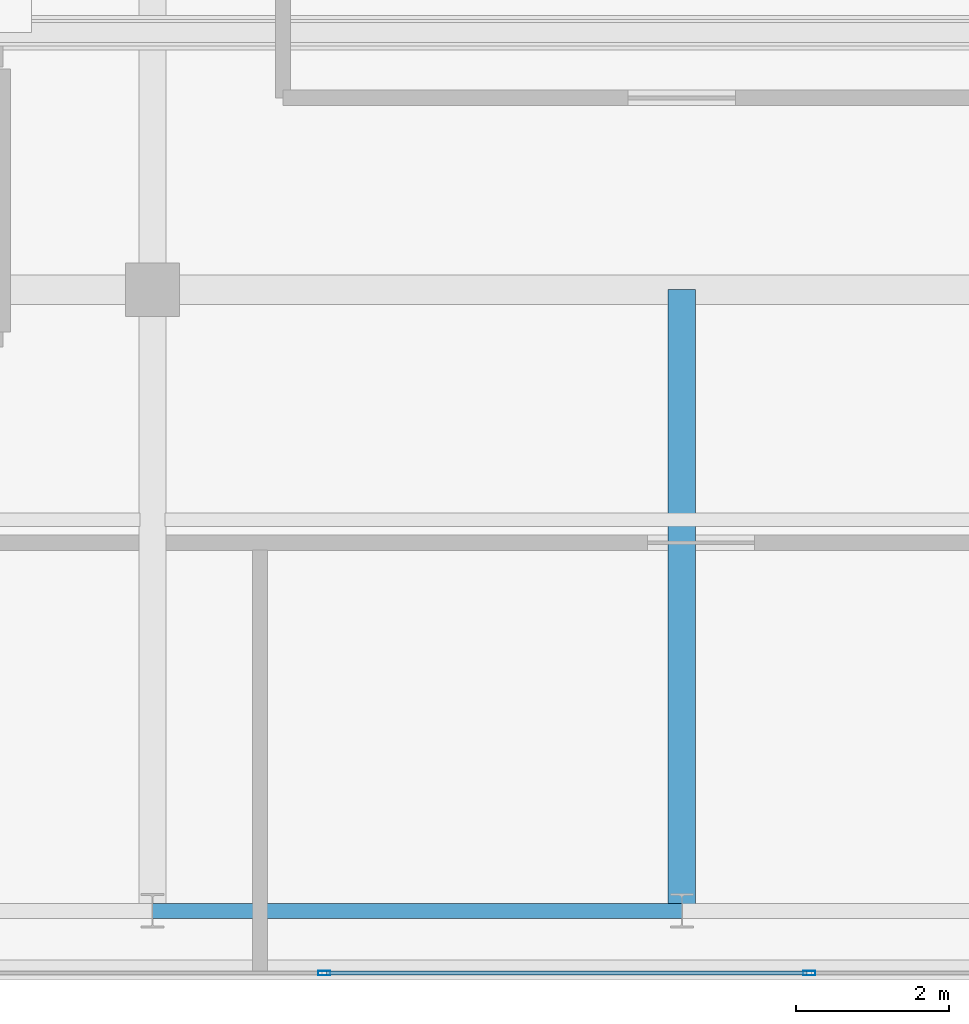
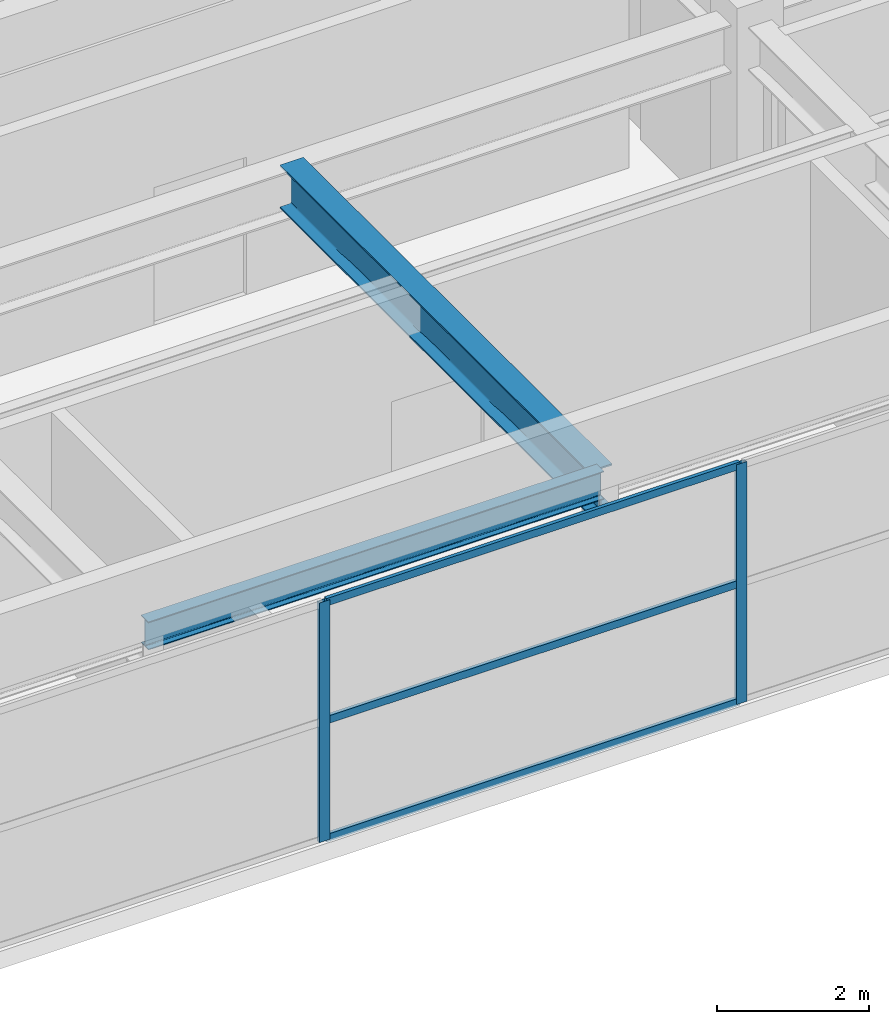
# One storey, part 7 of 33: 5 members, 2 beams, 1 element without a shape of its own.
"""IFC4 building model written with IfcOpenShell, lengths in metres."""

import ifcopenshell
import ifcopenshell.guid

model = None  # the IFC model being written
_history = None  # IfcOwnerHistory: only IFC2X3 demands one
_inside = {}  # id of a spatial element -> (the spatial element, [elements in it])
_under = {}  # id of a project, library or spatial element -> (it, [spatial elements below it])
_declared = {}  # id of a project -> (the project, [libraries it declares])
_typed = {}  # id of a type object -> (the type object, [elements of that type])
_made_of = {}  # id of a material, layer set ... -> (it, [elements and type objects made of it])


def new_model(schema):
    """Start an empty IFC model of exactly this schema.

    Asked for "IFC4X3", IfcOpenShell would pick the latest addendum, in which some entities
    have other attributes; the version numbers below select the first issue.
    IFC2X3 requires an IfcOwnerHistory on every rooted entity: one is made here for all.
    """
    global model, _history
    if schema == "IFC4X3":
        model = ifcopenshell.file(schema_version=(4, 3, 0, 0))
    else:
        model = ifcopenshell.file(schema=schema)
    _inside.clear()
    _under.clear()
    _declared.clear()
    _typed.clear()
    _made_of.clear()
    _history = None
    if model.schema == "IFC2X3":
        org = make("IfcOrganization", Name="unknown")
        user = make(
            "IfcPersonAndOrganization",
            ThePerson=make("IfcPerson", FamilyName="unknown"),
            TheOrganization=org,
        )
        app = make(
            "IfcApplication",
            ApplicationDeveloper=org,
            Version="unknown",
            ApplicationFullName="unknown",
            ApplicationIdentifier="unknown",
        )
        _history = make(
            "IfcOwnerHistory",
            OwningUser=user,
            OwningApplication=app,
            ChangeAction="ADDED",
            CreationDate=0,
        )
    return model


def make(cls, **values):
    """One entity of the class cls with the attributes given. An attribute that is None is left unset."""
    return model.create_entity(
        cls, **{name: value for name, value in values.items() if value is not None}
    )


def rooted(cls, **values):
    """An entity with a GlobalId (a new one), such as an element, a storey or a relation."""
    return make(cls, GlobalId=ifcopenshell.guid.new(), OwnerHistory=_history, **values)


def si_unit(unit_type, name, prefix=None):
    """IfcSIUnit, for example si_unit("LENGTHUNIT", "METRE", prefix="MILLI")."""
    return make("IfcSIUnit", UnitType=unit_type, Prefix=prefix, Name=name)


def assignment(units):
    """IfcUnitAssignment: the units of a project."""
    return None if units is None else make("IfcUnitAssignment", Units=units)


def point(xyz):
    """IfcCartesianPoint."""
    return None if xyz is None else make("IfcCartesianPoint", Coordinates=xyz)


def direction(xyz):
    """IfcDirection."""
    return None if xyz is None else make("IfcDirection", DirectionRatios=xyz)


def frame(location, z_axis=None, x_axis=None):
    """IfcAxis2Placement3D, a coordinate frame: its origin and axes. An axis left out is left unset."""
    return make(
        "IfcAxis2Placement3D",
        Location=point(location),
        Axis=direction(z_axis),
        RefDirection=direction(x_axis),
    )


def frame_2d(location, x_axis=None):
    """IfcAxis2Placement2D, a coordinate frame in the plane: its origin and x axis."""
    return make(
        "IfcAxis2Placement2D", Location=point(location), RefDirection=direction(x_axis)
    )


def origin():
    """The frame at (0, 0, 0) with its axes left unset."""
    return frame((0.0, 0.0, 0.0))


def origin_2d():
    """The frame at (0, 0) in the plane with its x axis left unset."""
    return frame_2d((0.0, 0.0))


def place(relative_to, where):
    """IfcLocalPlacement: puts the frame where relative to a parent placement (None: the world)."""
    return make(
        "IfcLocalPlacement", PlacementRelTo=relative_to, RelativePlacement=where
    )


def context(
    kind, dimensions, precision=None, world=None, true_north=None, identifier=None
):
    """IfcGeometricRepresentationContext, for example the 3D "Model" context."""
    return make(
        "IfcGeometricRepresentationContext",
        ContextIdentifier=identifier,
        ContextType=kind,
        CoordinateSpaceDimension=dimensions,
        Precision=precision,
        WorldCoordinateSystem=world,
        TrueNorth=true_north,
    )


def subcontext(parent, identifier, kind, view, scale=None):
    """IfcGeometricRepresentationSubContext, for example "Body" below "Model"."""
    return make(
        "IfcGeometricRepresentationSubContext",
        ContextIdentifier=identifier,
        ContextType=kind,
        ParentContext=parent,
        TargetScale=scale,
        TargetView=view,
    )


def project(units=None, contexts=None):
    """IfcProject with its units and contexts."""
    return rooted(
        "IfcProject",
        Name="project",
        RepresentationContexts=contexts,
        UnitsInContext=assignment(units),
    )


def spatial(cls, under=None, at=None, **own):
    """A site, building, storey or space (cls), placed at a placement, below another one or the project."""
    s = rooted(cls, ObjectPlacement=at, **own)
    if under is not None:
        _under.setdefault(under.id(), (under, []))[1].append(s)
    return s


def profile(cls, at=None, kind="AREA", **sizes):
    """A parametric profile (cls). Its sizes go by their IFC names, for example OverallWidth=200.0."""
    return make(cls, ProfileType=kind, Position=at, **sizes)


def hollow_rectangle(**sizes):
    """IfcRectangleHollowProfileDef."""
    return profile("IfcRectangleHollowProfileDef", **sizes)


def i_section(**sizes):
    """IfcIShapeProfileDef."""
    return profile("IfcIShapeProfileDef", **sizes)


def extrude(swept, where, along, depth):
    """IfcExtrudedAreaSolid: the profile swept, set in the frame where, extruded along a direction by depth."""
    return make(
        "IfcExtrudedAreaSolid",
        SweptArea=swept,
        Position=where,
        ExtrudedDirection=direction(along),
        Depth=depth,
    )


def shape(context_of_items, identifier, shape_type, items):
    """IfcShapeRepresentation: the items that make up one representation, for example the "Body"."""
    return make(
        "IfcShapeRepresentation",
        ContextOfItems=context_of_items,
        RepresentationIdentifier=identifier,
        RepresentationType=shape_type,
        Items=items,
    )


def source(mapping_origin, context_of_items, identifier, shape_type, items):
    """IfcRepresentationMap: a shape defined once, which mapped items show again and again."""
    return make(
        "IfcRepresentationMap",
        MappingOrigin=mapping_origin,
        MappedRepresentation=shape(context_of_items, identifier, shape_type, items),
    )


def transform(
    local_origin,
    x_axis=None,
    y_axis=None,
    z_axis=None,
    scale=None,
    scale2=None,
    scale3=None,
    uniform=True,
):
    """IfcCartesianTransformationOperator3D, or its non-uniform kind. x_axis, y_axis, z_axis: its Axis1, 2, 3."""
    if uniform:
        return make(
            "IfcCartesianTransformationOperator3D",
            Axis1=direction(x_axis),
            Axis2=direction(y_axis),
            LocalOrigin=point(local_origin),
            Scale=scale,
            Axis3=direction(z_axis),
        )
    return make(
        "IfcCartesianTransformationOperator3DnonUniform",
        Axis1=direction(x_axis),
        Axis2=direction(y_axis),
        LocalOrigin=point(local_origin),
        Scale=scale,
        Axis3=direction(z_axis),
        Scale2=scale2,
        Scale3=scale3,
    )


def mapped(mapping_source, mapping_target):
    """IfcMappedItem: shows the shape of a source again, moved by a transform."""
    return make(
        "IfcMappedItem", MappingSource=mapping_source, MappingTarget=mapping_target
    )


def material(Name=None, Category=None):
    """IfcMaterial."""
    return make("IfcMaterial", Name=Name, Category=Category)


def layer(
    of_material, thickness, ventilated=None, Name=None, Category=None, Priority=None
):
    """IfcMaterialLayer: one layer of a wall or slab, of a material (None: an air gap)."""
    return make(
        "IfcMaterialLayer",
        Material=of_material,
        LayerThickness=thickness,
        IsVentilated=ventilated,
        Name=Name,
        Category=Category,
        Priority=Priority,
    )


def layer_set(layers, Name=None):
    """IfcMaterialLayerSet."""
    return make("IfcMaterialLayerSet", MaterialLayers=layers, LayerSetName=Name)


def material_profile(
    of_material, cross_section, Name=None, Category=None, Priority=None
):
    """IfcMaterialProfile: a cross section and its material."""
    return make(
        "IfcMaterialProfile",
        Name=Name,
        Material=of_material,
        Profile=cross_section,
        Priority=Priority,
        Category=Category,
    )


def profile_set(profiles, Name=None, composite=None):
    """IfcMaterialProfileSet."""
    return make(
        "IfcMaterialProfileSet",
        Name=Name,
        MaterialProfiles=profiles,
        CompositeProfile=composite,
    )


def made_of(thing, what):
    """Note that an element or type object is made of a material, layer set ...; save() writes the relation."""
    if what is not None:
        _made_of.setdefault(what.id(), (what, []))[1].append(thing)
    return thing


def type_object(cls, material=None, **own):
    """A type object (cls), such as IfcWallType, which elements share."""
    return made_of(rooted(cls, **own), material)


def element(
    cls,
    number,
    at=None,
    inside=None,
    cuts=None,
    type_object=None,
    material=None,
    context=None,
    identifier="Body",
    shape_type=None,
    held_by="IfcProductDefinitionShape",
    body=None,
    shapes=None,
    **own,
):
    """One element of the class cls, such as IfcWall. Its Tag is "e" and its number.

    at: its placement. inside: the storey or other place that contains it. cuts: it is an
    opening in that element (IfcRelVoidsElement). A single representation is given by context,
    identifier, shape_type and body (its items); several are given by shapes. held_by: the class
    of the entity that holds the representations. save() writes the other relations.
    """
    e = rooted(cls, Tag="e%d" % number, ObjectPlacement=at, **own)
    if body is not None:
        shapes = [shape(context, identifier, shape_type, body)]
    if shapes is not None:
        e.Representation = make(held_by, Representations=shapes)
    if inside is not None:
        _inside.setdefault(inside.id(), (inside, []))[1].append(e)
    if cuts is not None:
        rooted(
            "IfcRelVoidsElement", RelatingBuildingElement=cuts, RelatedOpeningElement=e
        )
    if type_object is not None:
        _typed.setdefault(type_object.id(), (type_object, []))[1].append(e)
    return made_of(e, material)


def aggregate(whole, parts):
    """IfcRelAggregates: a whole, such as a stair, and the parts it consists of."""
    return rooted("IfcRelAggregates", RelatingObject=whole, RelatedObjects=parts)


def save(model, path):
    """Write the relations noted so far, then the file.

    IfcRelAggregates (storeys below a building ...), IfcRelContainedInSpatialStructure (elements
    in a storey), IfcRelDefinesByType, IfcRelAssociatesMaterial and IfcRelDeclares: one each for
    every whole, place, type object, material and project.
    """
    for whole, parts in _under.values():
        aggregate(whole, parts)
    for where, things in _inside.values():
        rooted(
            "IfcRelContainedInSpatialStructure",
            RelatedElements=things,
            RelatingStructure=where,
        )
    for kind, things in _typed.values():
        rooted("IfcRelDefinesByType", RelatedObjects=things, RelatingType=kind)
    for what, things in _made_of.values():
        rooted("IfcRelAssociatesMaterial", RelatedObjects=things, RelatingMaterial=what)
    for by, libraries in _declared.values():
        rooted("IfcRelDeclares", RelatingContext=by, RelatedDefinitions=libraries)
    model.write(path)


model = new_model("IFC4")

# Units and contexts
model_context = context("Model", 3, precision=1e-05, world=origin(), true_north=direction((0.0, 1.0)))
body_context = subcontext(model_context, "Body", "Model", "MODEL_VIEW")
ifc_project = project(units=[si_unit("LENGTHUNIT", "METRE"), si_unit("AREAUNIT", "SQUARE_METRE"), si_unit("VOLUMEUNIT", "CUBIC_METRE"), si_unit("PLANEANGLEUNIT", "RADIAN"), si_unit("MASSUNIT", "GRAM", prefix="KILO")], contexts=[model_context])

# Site, building, storey
site_placement = place(None, origin())
site = spatial("IfcSite", under=ifc_project, at=site_placement, CompositionType="ELEMENT")
building_placement = place(site_placement, origin())
building = spatial("IfcBuilding", under=site, at=building_placement, Name="Khoralis Quay Care Tower", CompositionType="ELEMENT")
storey_placement = place(building_placement, frame((0.0, 0.0, 314.699951171875)))
storey = spatial("IfcBuildingStorey", under=building, at=storey_placement, Name="L82", CompositionType="ELEMENT", Elevation=314.699951171875)

# Beams
ifc_material_1 = material(Name="Steel S355", Category="steel")
ifc_material_profile_1 = material_profile(ifc_material_1, i_section(OverallWidth=0.18994140625, OverallDepth=0.449951171875, WebThickness=0.009521484375, FlangeThickness=0.0146484375, FilletRadius=0.02099609375, at=origin_2d()), Name="Steel S355")
ifc_profile_set_1 = profile_set([ifc_material_profile_1], Name="Steel S355")
beam_type_1 = type_object("IfcBeamType", Name="BM-IPE450", PredefinedType="SPANDREL", material=ifc_profile_set_1)
shared_shape_1 = source(origin(), body_context, "Body", "SweptSolid", [
    extrude(i_section(OverallWidth=0.18994140625, OverallDepth=0.449951171875, WebThickness=0.009521484375, FlangeThickness=0.0146484375, FilletRadius=0.02099609375, at=origin_2d()), origin(), (0.0, 0.0, 1.0), 6.89990234375),
])
beam_1_placement = place(storey_placement, frame((17.10009765625, 3.89990234375, 3.614990234375), z_axis=(1.0, 0.0, 0.0), x_axis=(0.0, 1.0, 0.0)))
element("IfcBeam", 1, at=beam_1_placement, inside=storey, type_object=beam_type_1, Name="BM-TSP-L82-02", PredefinedType="SPANDREL", context=body_context, shape_type="MappedRepresentation", body=[
    mapped(shared_shape_1, transform((0.0, 0.0, 0.0), scale=1.0)),
])
ifc_material_profile_2 = material_profile(ifc_material_1, i_section(OverallWidth=0.35498046875, OverallDepth=0.695068359375, WebThickness=0.015380859375, FlangeThickness=0.02490234375, FilletRadius=0.02001953125, at=origin_2d()), Name="Steel S355")
ifc_profile_set_2 = profile_set([ifc_material_profile_2], Name="Steel S355")
beam_type_2 = type_object("IfcBeamType", Name="BM-W690X217", PredefinedType="BEAM", material=ifc_profile_set_2)
shared_shape_2 = source(origin(), body_context, "Body", "SweptSolid", [
    extrude(i_section(OverallWidth=0.35498046875, OverallDepth=0.695068359375, WebThickness=0.015380859375, FlangeThickness=0.02490234375, FilletRadius=0.02001953125, at=origin_2d()), origin(), (0.0, 0.0, 1.0), 8.10009765625),
])
beam_2_placement = place(storey_placement, frame((24.0, 3.89990234375, 3.492431640625), z_axis=(0.0, 1.0, 0.0), x_axis=(-1.0, 0.0, 0.0)))
element("IfcBeam", 2, at=beam_2_placement, inside=storey, type_object=beam_type_2, Name="BM-TGYS-L82-240", PredefinedType="BEAM", context=body_context, shape_type="MappedRepresentation", body=[
    mapped(shared_shape_2, transform((0.0, 0.0, 0.0), scale=1.0)),
])

# Curtain wall, members
ifc_material_2 = material(Name="Pale anodised aluminium", Category="aluminium")
ifc_layer = layer(ifc_material_2, 0.199951171875)
ifc_layer_set = layer_set([ifc_layer], Name="Pale anodised aluminium")
curtain_wall_type = type_object("IfcCurtainWallType", Name="CW-SYS-LANTERN", PredefinedType="NOTDEFINED", material=ifc_layer_set)
curtain_wall_placement = place(storey_placement, origin())
curtain_wall = element("IfcCurtainWall", 3, at=curtain_wall_placement, inside=storey, type_object=curtain_wall_type, Name="L82 Unitised Curtain Wall CW-LN-L82-01", PredefinedType="NOTDEFINED")
ifc_material_profile_3 = material_profile(ifc_material_2, hollow_rectangle(XDim=0.054931640625, YDim=0.1201171875, WallThickness=0.00390625, at=origin_2d()), Name="Pale anodised aluminium")
ifc_profile_set_3 = profile_set([ifc_material_profile_3], Name="Pale anodised aluminium")
member_type_1 = type_object("IfcMemberType", Name="CW-TRN-120", PredefinedType="USERDEFINED", material=ifc_profile_set_3)
shared_shape_3 = source(origin(), body_context, "Body", "SweptSolid", [
    extrude(hollow_rectangle(XDim=0.054931640625, YDim=0.1201171875, WallThickness=0.00390625, at=origin_2d()), origin(), (0.0, 0.0, 1.0), 6.26416015625),
])
member_1_placement = place(storey_placement, frame((19.367919921875, 3.090087890625, 0.030029296875), z_axis=(1.0, 0.0, 0.0), x_axis=(0.0, 1.0, 0.0)))
member_1 = element("IfcMember", 4, at=member_1_placement, type_object=member_type_1, Name="CW5 transom 3.1", ObjectType="TRANSOM", PredefinedType="USERDEFINED", context=body_context, shape_type="MappedRepresentation", body=[
    mapped(shared_shape_3, transform((0.0, 0.0, 0.0), scale=1.0)),
])
member_2_placement = place(storey_placement, frame((19.367919921875, 3.090087890625, 1.920166015625), z_axis=(1.0, 0.0, 0.0), x_axis=(0.0, 1.0, 0.0)))
member_2 = element("IfcMember", 5, at=member_2_placement, type_object=member_type_1, Name="CW5 transom 3.2", ObjectType="TRANSOM", PredefinedType="USERDEFINED", context=body_context, shape_type="MappedRepresentation", body=[
    mapped(shared_shape_3, transform((0.0, 0.0, 0.0), scale=1.0)),
])
member_3_placement = place(storey_placement, frame((19.367919921875, 3.090087890625, 3.81005859375), z_axis=(1.0, 0.0, 0.0), x_axis=(0.0, 1.0, 0.0)))
member_3 = element("IfcMember", 6, at=member_3_placement, type_object=member_type_1, Name="CW5 transom 3.3", ObjectType="TRANSOM", PredefinedType="USERDEFINED", context=body_context, shape_type="MappedRepresentation", body=[
    mapped(shared_shape_3, transform((0.0, 0.0, 0.0), scale=1.0)),
])
ifc_material_profile_4 = material_profile(ifc_material_2, hollow_rectangle(XDim=0.06005859375, YDim=0.159912109375, WallThickness=0.00390625, at=origin_2d()), Name="Pale anodised aluminium")
ifc_profile_set_4 = profile_set([ifc_material_profile_4], Name="Pale anodised aluminium")
member_type_2 = type_object("IfcMemberType", Name="CW-MUL-160", PredefinedType="MULLION", material=ifc_profile_set_4)
shared_shape_4 = source(origin(), body_context, "Body", "SweptSolid", [
    extrude(hollow_rectangle(XDim=0.06005859375, YDim=0.159912109375, WallThickness=0.00390625, at=origin_2d()), origin(), (0.0, 0.0, 1.0), 3.840087890625),
])
member_4_placement = place(storey_placement, frame((19.337890625, 3.090087890625, 0.0), z_axis=(0.0, 0.0, 1.0), x_axis=(0.0, 1.0, 0.0)))
member_4 = element("IfcMember", 7, at=member_4_placement, type_object=member_type_2, Name="CW5 mullion 3", PredefinedType="MULLION", context=body_context, shape_type="MappedRepresentation", body=[
    mapped(shared_shape_4, transform((0.0, 0.0, 0.0), scale=1.0)),
])
member_5_placement = place(storey_placement, frame((25.662109375, 3.090087890625, 0.0), z_axis=(0.0, 0.0, 1.0), x_axis=(0.0, 1.0, 0.0)))
member_5 = element("IfcMember", 8, at=member_5_placement, type_object=member_type_2, Name="CW5 mullion 4", PredefinedType="MULLION", context=body_context, shape_type="MappedRepresentation", body=[
    mapped(shared_shape_4, transform((0.0, 0.0, 0.0), scale=1.0)),
])
aggregate(curtain_wall, [member_4, member_5, member_1, member_2, member_3])

save(model, "model.ifc")
